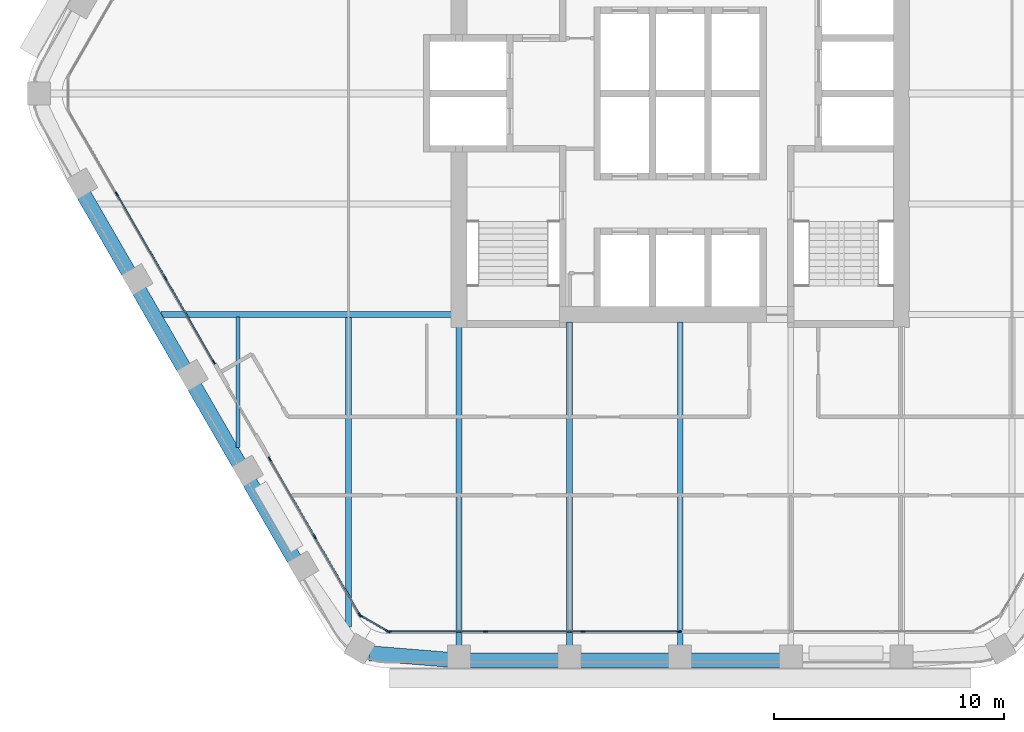
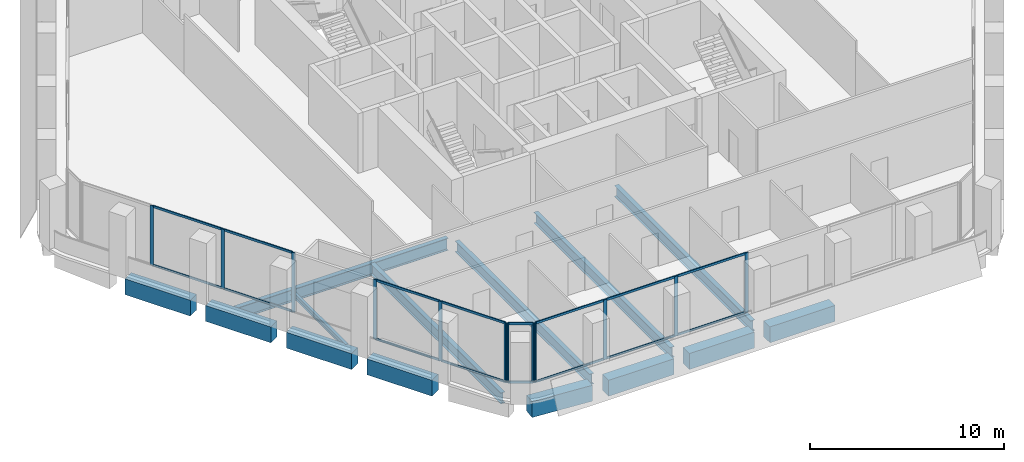
# One storey, part 2 of 15: 28 members, 14 beams, 4 elements without a shape of their own.
"""IFC4 building model written with IfcOpenShell, lengths in metres."""

from ifc_helpers import new_model, si_unit, direction, frame, origin, origin_2d, place, context, subcontext, project, spatial, rectangle, i_section, extrude, material, material_profile, profile_set, type_object, element, aggregate, save


model = new_model("IFC4")

# Units and contexts
model_context = context("Model", 3, precision=1e-05, world=origin(), true_north=direction((0.0, 1.0)))
body_context = subcontext(model_context, "Body", "Model", "MODEL_VIEW")
ifc_project = project(units=[si_unit("LENGTHUNIT", "METRE"), si_unit("AREAUNIT", "SQUARE_METRE"), si_unit("VOLUMEUNIT", "CUBIC_METRE"), si_unit("PLANEANGLEUNIT", "RADIAN"), si_unit("MASSUNIT", "GRAM", prefix="KILO")], contexts=[model_context])

# Site, building, storey
site_placement = place(None, origin())
site = spatial("IfcSite", under=ifc_project, at=site_placement, CompositionType="ELEMENT")
building_placement = place(site_placement, origin())
building = spatial("IfcBuilding", under=site, at=building_placement, Name="Kolab Exchange Tower", CompositionType="ELEMENT")
storey_placement = place(building_placement, frame((0.0, 0.0, 142.699951171875)))
storey = spatial("IfcBuildingStorey", under=building, at=storey_placement, Name="L28", CompositionType="ELEMENT", Elevation=142.699951171875)

# Beams
ifc_material_1 = material(Name="Steel S355", Category="steel")
ifc_material_profile_1 = material_profile(ifc_material_1, i_section(OverallWidth=0.1650390625, OverallDepth=0.31005859375, WebThickness=0.005859375, FlangeThickness=0.009765625, at=origin_2d()), Name="W310X39")
ifc_profile_set_1 = profile_set([ifc_material_profile_1], Name="Steel S355")
beam_type_1 = type_object("IfcBeamType", Name="FLOOR BEAM W310X39", PredefinedType="BEAM", material=ifc_profile_set_1)
beam_1_placement = place(storey_placement, frame((-19.199951171875, -15.36767578125, -0.304931640625), z_axis=(0.0, 1.0, 0.0), x_axis=(-1.0, 0.0, 0.0)))
element("IfcBeam", 1, at=beam_1_placement, inside=storey, type_object=beam_type_1, Name="beam/L28/fr/003", PredefinedType="BEAM", context=body_context, shape_type="SweptSolid", body=[
    extrude(i_section(OverallWidth=0.1650390625, OverallDepth=0.31005859375, WebThickness=0.005859375, FlangeThickness=0.009765625, at=origin_2d()), origin(), (0.0, 0.0, 1.0), 5.674072265625),
])
ifc_material_profile_2 = material_profile(ifc_material_1, i_section(OverallWidth=0.25390625, OverallDepth=0.68408203125, WebThickness=0.012451171875, FlangeThickness=0.018798828125, at=origin_2d()), Name="W690X140")
ifc_profile_set_2 = profile_set([ifc_material_profile_2], Name="Steel S355")
beam_type_2 = type_object("IfcBeamType", Name="FLOOR BEAM W690X140", PredefinedType="BEAM", material=ifc_profile_set_2)
beam_2_placement = place(storey_placement, frame((-14.39990234375, -23.15576171875, -0.491943359375), z_axis=(0.0, 1.0, 0.0), x_axis=(-1.0, 0.0, 0.0)))
element("IfcBeam", 2, at=beam_2_placement, inside=storey, type_object=beam_type_2, Name="beam/L28/fr/005", PredefinedType="BEAM", context=body_context, shape_type="SweptSolid", body=[
    extrude(i_section(OverallWidth=0.25390625, OverallDepth=0.68408203125, WebThickness=0.012451171875, FlangeThickness=0.018798828125, at=origin_2d()), origin(), (0.0, 0.0, 1.0), 13.462158203125),
])
beam_3_placement = place(storey_placement, frame((-9.60009765625, -23.9814453125, -0.491943359375), z_axis=(0.0, 1.0, 0.0), x_axis=(-1.0, 0.0, 0.0)))
element("IfcBeam", 3, at=beam_3_placement, inside=storey, type_object=beam_type_2, Name="beam/L28/fr/007", PredefinedType="BEAM", context=body_context, shape_type="SweptSolid", body=[
    extrude(i_section(OverallWidth=0.25390625, OverallDepth=0.68408203125, WebThickness=0.012451171875, FlangeThickness=0.018798828125, at=origin_2d()), origin(), (0.0, 0.0, 1.0), 13.871337890625),
])
for number, where, z_axis, x_axis, name in (
    (4, (-4.800048828125, -23.9814453125, -0.491943359375), (0.0, 1.0, 0.0), (-1.0, 0.0, 0.0), "beam/L28/fr/009"),
    (5, (0.0, -23.9814453125, -0.491943359375), (0.0, 1.0, 0.0), (-1.0, 0.0, 0.0), "beam/L28/fr/011"),
):
    element("IfcBeam", number, at=place(storey_placement, frame(where, z_axis=z_axis, x_axis=x_axis)), inside=storey, type_object=beam_type_2, Name=name, PredefinedType="BEAM", context=body_context, shape_type="SweptSolid", body=[
        extrude(i_section(OverallWidth=0.25390625, OverallDepth=0.68408203125, WebThickness=0.012451171875, FlangeThickness=0.018798828125, at=origin_2d()), origin(), (0.0, 0.0, 1.0), 14.071533203125),
    ])
ifc_material_profile_3 = material_profile(ifc_material_1, i_section(OverallWidth=0.26708984375, OverallDepth=0.761962890625, WebThickness=0.014404296875, FlangeThickness=0.021484375, at=origin_2d()), Name="W760X173")
ifc_profile_set_3 = profile_set([ifc_material_profile_3], Name="Steel S355")
beam_type_3 = type_object("IfcBeamType", Name="FLOOR GIRDER W760X173", PredefinedType="BEAM", material=ifc_profile_set_3)
beam_4_placement = place(storey_placement, frame((-22.546875, -9.60009765625, -0.531005859375), z_axis=(1.0, 0.0, 0.0), x_axis=(0.0, 1.0, 0.0)))
element("IfcBeam", 6, at=beam_4_placement, inside=storey, type_object=beam_type_3, Name="beam/L28/gd/000", PredefinedType="BEAM", context=body_context, shape_type="SweptSolid", body=[
    extrude(i_section(OverallWidth=0.26708984375, OverallDepth=0.761962890625, WebThickness=0.014404296875, FlangeThickness=0.021484375, at=origin_2d()), origin(), (0.0, 0.0, 1.0), 12.636962890625),
])
ifc_material_2 = material(Name="Concrete C60/75", Category="concrete")
ifc_material_profile_4 = material_profile(ifc_material_2, rectangle(XDim=0.64990234375, YDim=1.0, at=origin_2d()), Name="RC650X1000")
ifc_profile_set_4 = profile_set([ifc_material_profile_4], Name="Concrete C60/75")
beam_type_4 = type_object("IfcBeamType", Name="SPANDREL BEAM 650X1000 C60/75", PredefinedType="BEAM", material=ifc_profile_set_4)
for number, where, z_axis, x_axis, name in (
    (7, (4.340087890625, -24.616455078125, -0.64990234375), (-1.0, 0.0, 0.0), (0.0, -1.0, 0.0), "beam/L28/sp/F4-03"),
    (8, (-0.4599609375, -24.616455078125, -0.64990234375), (-1.0, 0.0, 0.0), (0.0, -1.0, 0.0), "beam/L28/sp/F4-04"),
):
    element("IfcBeam", number, at=place(storey_placement, frame(where, z_axis=z_axis, x_axis=x_axis)), inside=storey, type_object=beam_type_4, Name=name, PredefinedType="BEAM", context=body_context, shape_type="SweptSolid", body=[
        extrude(rectangle(XDim=0.64990234375, YDim=1.0, at=origin_2d()), origin(), (0.0, 0.0, 1.0), 3.880126953125),
    ])
beam_5_placement = place(storey_placement, frame((-5.260009765625, -24.616455078125, -0.64990234375), z_axis=(-1.0, 0.0, 0.0), x_axis=(0.0, -1.0, 0.0)))
element("IfcBeam", 9, at=beam_5_placement, inside=storey, type_object=beam_type_4, Name="beam/L28/sp/F4-05", PredefinedType="BEAM", context=body_context, shape_type="SweptSolid", body=[
    extrude(rectangle(XDim=0.64990234375, YDim=1.0, at=origin_2d()), origin(), (0.0, 0.0, 1.0), 3.8798828125),
])
beam_6_placement = place(storey_placement, frame((-10.06005859375, -24.5791015625, -0.64990234375), z_axis=(-0.996708497182, 0.081068931445, 0.0), x_axis=(-0.081068931445, -0.996708497182, 0.0)))
element("IfcBeam", 10, at=beam_6_placement, inside=storey, type_object=beam_type_4, Name="beam/L28/sp/F4-06", PredefinedType="BEAM", context=body_context, shape_type="SweptSolid", body=[
    extrude(rectangle(XDim=0.64990234375, YDim=1.0, at=origin_2d()), origin(), (0.0, 0.0, 1.0), 3.445068359375),
])
beam_7_placement = place(storey_placement, frame((-16.74853515625, -20.2236328125, -0.64990234375), z_axis=(-0.499996613652, 0.866027358884, 0.0), x_axis=(-0.866027358884, -0.499996613652, 0.0)))
element("IfcBeam", 11, at=beam_7_placement, inside=storey, type_object=beam_type_4, Name="beam/L28/sp/F5-02", PredefinedType="BEAM", context=body_context, shape_type="SweptSolid", body=[
    extrude(rectangle(XDim=0.64990234375, YDim=1.0, at=origin_2d()), origin(), (0.0, 0.0, 1.0), 3.8798828125),
])
beam_8_placement = place(storey_placement, frame((-19.1484375, -16.06689453125, -0.64990234375), z_axis=(-0.50001655835, 0.866015843605, 0.0), x_axis=(-0.866015843605, -0.50001655835, 0.0)))
element("IfcBeam", 12, at=beam_8_placement, inside=storey, type_object=beam_type_4, Name="beam/L28/sp/F5-03", PredefinedType="BEAM", context=body_context, shape_type="SweptSolid", body=[
    extrude(rectangle(XDim=0.64990234375, YDim=1.0, at=origin_2d()), origin(), (0.0, 0.0, 1.0), 3.880126953125),
])
for number, where, z_axis, x_axis, name in (
    (13, (-21.548583984375, -11.909912109375, -0.64990234375), (-0.499996613652, 0.866027358884, 0.0), (-0.866027358884, -0.499996613652, 0.0), "beam/L28/sp/F5-04"),
    (14, (-23.948486328125, -7.7529296875, -0.64990234375), (-0.499996613652, 0.866027358884, 0.0), (-0.866027358884, -0.499996613652, 0.0), "beam/L28/sp/F5-05"),
):
    element("IfcBeam", number, at=place(storey_placement, frame(where, z_axis=z_axis, x_axis=x_axis)), inside=storey, type_object=beam_type_4, Name=name, PredefinedType="BEAM", context=body_context, shape_type="SweptSolid", body=[
        extrude(rectangle(XDim=0.64990234375, YDim=1.0, at=origin_2d()), origin(), (0.0, 0.0, 1.0), 3.8798828125),
    ])

# Curtain wall, members
ifc_material_3 = material(Name="Aluminium EN AW-6063 T6", Category="aluminium")
curtain_wall_type = type_object("IfcCurtainWallType", Name="UNITISED UPPER MID ZONE CURTAIN WALL", PredefinedType="NOTDEFINED", material=ifc_material_3)
curtain_wall_1_placement = place(storey_placement, origin())
curtain_wall_1 = element("IfcCurtainWall", 15, at=curtain_wall_1_placement, inside=storey, type_object=curtain_wall_type, Name="cw/L28/F4-2", PredefinedType="NOTDEFINED")
ifc_material_profile_5 = material_profile(ifc_material_3, rectangle(XDim=0.06005859375, YDim=0.199951171875, at=origin_2d()), Name="RECT 60X200")
ifc_profile_set_5 = profile_set([ifc_material_profile_5], Name="Aluminium EN AW-6063 T6")
member_type_1 = type_object("IfcMemberType", Name="UNITISED UPPER MID ZONE MULLION 60 X 200", PredefinedType="MULLION", material=ifc_profile_set_5)
member_1_placement = place(storey_placement, frame((-0.030029296875, -23.361572265625, 0.0), z_axis=(0.0, 0.0, 1.0), x_axis=(0.0, -1.0, 0.0)))
member_1 = element("IfcMember", 16, at=member_1_placement, type_object=member_type_1, Name="CW3 mullion 1", PredefinedType="MULLION", context=body_context, shape_type="SweptSolid", body=[
    extrude(rectangle(XDim=0.06005859375, YDim=0.199951171875, at=origin_2d()), origin(), (0.0, 0.0, 1.0), 3.75),
])
member_2_placement = place(storey_placement, frame((-4.22265625, -23.361572265625, 0.0), z_axis=(0.0, 0.0, 1.0), x_axis=(0.0, -1.0, 0.0)))
member_2 = element("IfcMember", 17, at=member_2_placement, type_object=member_type_1, Name="CW3 mullion 2", PredefinedType="MULLION", context=body_context, shape_type="SweptSolid", body=[
    extrude(rectangle(XDim=0.06005859375, YDim=0.199951171875, at=origin_2d()), origin(), (0.0, 0.0, 1.0), 3.75),
])
member_3_placement = place(storey_placement, frame((-8.4453125, -23.361572265625, 0.0), z_axis=(0.0, 0.0, 1.0), x_axis=(0.0, -1.0, 0.0)))
member_3 = element("IfcMember", 18, at=member_3_placement, type_object=member_type_1, Name="CW3 mullion 3", PredefinedType="MULLION", context=body_context, shape_type="SweptSolid", body=[
    extrude(rectangle(XDim=0.06005859375, YDim=0.199951171875, at=origin_2d()), origin(), (0.0, 0.0, 1.0), 3.75),
])
member_4_placement = place(storey_placement, frame((-12.637939453125, -23.361572265625, 0.0), z_axis=(0.0, 0.0, 1.0), x_axis=(0.0, -1.0, 0.0)))
member_4 = element("IfcMember", 19, at=member_4_placement, type_object=member_type_1, Name="CW3 mullion 4", PredefinedType="MULLION", context=body_context, shape_type="SweptSolid", body=[
    extrude(rectangle(XDim=0.06005859375, YDim=0.199951171875, at=origin_2d()), origin(), (0.0, 0.0, 1.0), 3.75),
])

curtain_wall_2_placement = place(storey_placement, origin())
curtain_wall_2 = element("IfcCurtainWall", 20, at=curtain_wall_2_placement, inside=storey, type_object=curtain_wall_type, Name="cw/L28/F5-1", PredefinedType="NOTDEFINED")
member_5_placement = place(storey_placement, frame((-13.91259765625, -22.62548828125, 0.0), z_axis=(0.0, 0.0, 1.0), x_axis=(-0.866025385493, -0.500000031681, 0.0)))
member_5 = element("IfcMember", 21, at=member_5_placement, type_object=member_type_1, Name="CW3 mullion 1", PredefinedType="MULLION", context=body_context, shape_type="SweptSolid", body=[
    extrude(rectangle(XDim=0.06005859375, YDim=0.199951171875, at=origin_2d()), origin(), (0.0, 0.0, 1.0), 3.75),
])
member_6_placement = place(storey_placement, frame((-15.86474609375, -19.24462890625, 0.0), z_axis=(0.0, 0.0, 1.0), x_axis=(-0.866025385493, -0.500000031681, 0.0)))
member_6 = element("IfcMember", 22, at=member_6_placement, type_object=member_type_1, Name="CW3 mullion 2", PredefinedType="MULLION", context=body_context, shape_type="SweptSolid", body=[
    extrude(rectangle(XDim=0.06005859375, YDim=0.199951171875, at=origin_2d()), origin(), (0.0, 0.0, 1.0), 3.75),
])
member_7_placement = place(storey_placement, frame((-17.816650390625, -15.86376953125, 0.0), z_axis=(0.0, 0.0, 1.0), x_axis=(-0.866025385493, -0.500000031681, 0.0)))
member_7 = element("IfcMember", 23, at=member_7_placement, type_object=member_type_1, Name="CW3 mullion 3", PredefinedType="MULLION", context=body_context, shape_type="SweptSolid", body=[
    extrude(rectangle(XDim=0.06005859375, YDim=0.199951171875, at=origin_2d()), origin(), (0.0, 0.0, 1.0), 3.75),
])

curtain_wall_3_placement = place(storey_placement, origin())
curtain_wall_3 = element("IfcCurtainWall", 24, at=curtain_wall_3_placement, inside=storey, type_object=curtain_wall_type, Name="cw/L28/F5-2", PredefinedType="NOTDEFINED")
member_8_placement = place(storey_placement, frame((-20.24658203125, -11.65478515625, 0.0), z_axis=(0.0, 0.0, 1.0), x_axis=(-0.866025427826, -0.499999958358, 0.0)))
member_8 = element("IfcMember", 25, at=member_8_placement, type_object=member_type_1, Name="CW3 mullion 1", PredefinedType="MULLION", context=body_context, shape_type="SweptSolid", body=[
    extrude(rectangle(XDim=0.06005859375, YDim=0.199951171875, at=origin_2d()), origin(), (0.0, 0.0, 1.0), 3.75),
])
member_9_placement = place(storey_placement, frame((-22.343017578125, -8.02392578125, 0.0), z_axis=(0.0, 0.0, 1.0), x_axis=(-0.866025427826, -0.499999958358, 0.0)))
member_9 = element("IfcMember", 26, at=member_9_placement, type_object=member_type_1, Name="CW3 mullion 2", PredefinedType="MULLION", context=body_context, shape_type="SweptSolid", body=[
    extrude(rectangle(XDim=0.06005859375, YDim=0.199951171875, at=origin_2d()), origin(), (0.0, 0.0, 1.0), 3.75),
])
member_10_placement = place(storey_placement, frame((-24.454345703125, -4.366943359375, 0.0), z_axis=(0.0, 0.0, 1.0), x_axis=(-0.866025427826, -0.499999958358, 0.0)))
member_10 = element("IfcMember", 27, at=member_10_placement, type_object=member_type_1, Name="CW3 mullion 3", PredefinedType="MULLION", context=body_context, shape_type="SweptSolid", body=[
    extrude(rectangle(XDim=0.06005859375, YDim=0.199951171875, at=origin_2d()), origin(), (0.0, 0.0, 1.0), 3.75),
])

curtain_wall_4_placement = place(storey_placement, origin())
curtain_wall_4 = element("IfcCurtainWall", 28, at=curtain_wall_4_placement, inside=storey, type_object=curtain_wall_type, Name="cw/L28/F4F5-corner", PredefinedType="NOTDEFINED")
member_11_placement = place(storey_placement, frame((-12.69384765625, -23.346435546875, 0.0), z_axis=(0.0, 0.0, 1.0), x_axis=(-0.50000002237, -0.866025390869, 0.0)))
member_11 = element("IfcMember", 29, at=member_11_placement, type_object=member_type_1, Name="CW3 mullion 1", PredefinedType="MULLION", context=body_context, shape_type="SweptSolid", body=[
    extrude(rectangle(XDim=0.06005859375, YDim=0.199951171875, at=origin_2d()), origin(), (0.0, 0.0, 1.0), 3.75),
])
member_12_placement = place(storey_placement, frame((-13.871826171875, -22.66650390625, 0.0), z_axis=(0.0, 0.0, 1.0), x_axis=(-0.50000002237, -0.866025390869, 0.0)))
member_12 = element("IfcMember", 30, at=member_12_placement, type_object=member_type_1, Name="CW3 mullion 2", PredefinedType="MULLION", context=body_context, shape_type="SweptSolid", body=[
    extrude(rectangle(XDim=0.06005859375, YDim=0.199951171875, at=origin_2d()), origin(), (0.0, 0.0, 1.0), 3.75),
])

# Member
ifc_material_profile_6 = material_profile(ifc_material_3, rectangle(XDim=0.06005859375, YDim=0.139892578125, at=origin_2d()), Name="RECT 60X140")
ifc_profile_set_6 = profile_set([ifc_material_profile_6], Name="Aluminium EN AW-6063 T6")
member_type_2 = type_object("IfcMemberType", Name="UNITISED UPPER MID ZONE TRANSOM 60 X 140", PredefinedType="USERDEFINED", material=ifc_profile_set_6)
member_13_placement = place(storey_placement, frame((-0.06005859375, -23.361572265625, 0.030029296875), z_axis=(-1.0, 0.0, 0.0), x_axis=(0.0, -1.0, 0.0)))
member_13 = element("IfcMember", 31, at=member_13_placement, type_object=member_type_2, Name="CW3 transom 1.1", ObjectType="TRANSOM", PredefinedType="USERDEFINED", context=body_context, shape_type="SweptSolid", body=[
    extrude(rectangle(XDim=0.06005859375, YDim=0.139892578125, at=origin_2d()), origin(), (0.0, 0.0, 1.0), 4.132568359375),
])

member_14_placement = place(storey_placement, frame((-0.06005859375, -23.361572265625, 3.719970703125), z_axis=(-1.0, 0.0, 0.0), x_axis=(0.0, -1.0, 0.0)))
member_14 = element("IfcMember", 32, at=member_14_placement, type_object=member_type_2, Name="CW3 transom 1.2", ObjectType="TRANSOM", PredefinedType="USERDEFINED", context=body_context, shape_type="SweptSolid", body=[
    extrude(rectangle(XDim=0.06005859375, YDim=0.139892578125, at=origin_2d()), origin(), (0.0, 0.0, 1.0), 4.132568359375),
])

member_15_placement = place(storey_placement, frame((-4.252685546875, -23.361572265625, 0.030029296875), z_axis=(-1.0, 0.0, 0.0), x_axis=(0.0, -1.0, 0.0)))
member_15 = element("IfcMember", 33, at=member_15_placement, type_object=member_type_2, Name="CW3 transom 2.1", ObjectType="TRANSOM", PredefinedType="USERDEFINED", context=body_context, shape_type="SweptSolid", body=[
    extrude(rectangle(XDim=0.06005859375, YDim=0.139892578125, at=origin_2d()), origin(), (0.0, 0.0, 1.0), 4.16259765625),
])

member_16_placement = place(storey_placement, frame((-4.252685546875, -23.361572265625, 3.719970703125), z_axis=(-1.0, 0.0, 0.0), x_axis=(0.0, -1.0, 0.0)))
member_16 = element("IfcMember", 34, at=member_16_placement, type_object=member_type_2, Name="CW3 transom 2.2", ObjectType="TRANSOM", PredefinedType="USERDEFINED", context=body_context, shape_type="SweptSolid", body=[
    extrude(rectangle(XDim=0.06005859375, YDim=0.139892578125, at=origin_2d()), origin(), (0.0, 0.0, 1.0), 4.16259765625),
])

member_17_placement = place(storey_placement, frame((-8.475341796875, -23.361572265625, 0.030029296875), z_axis=(-1.0, 0.0, 0.0), x_axis=(0.0, -1.0, 0.0)))
member_17 = element("IfcMember", 35, at=member_17_placement, type_object=member_type_2, Name="CW3 transom 3.1", ObjectType="TRANSOM", PredefinedType="USERDEFINED", context=body_context, shape_type="SweptSolid", body=[
    extrude(rectangle(XDim=0.06005859375, YDim=0.139892578125, at=origin_2d()), origin(), (0.0, 0.0, 1.0), 4.132568359375),
])

member_18_placement = place(storey_placement, frame((-8.475341796875, -23.361572265625, 3.719970703125), z_axis=(-1.0, 0.0, 0.0), x_axis=(0.0, -1.0, 0.0)))
member_18 = element("IfcMember", 36, at=member_18_placement, type_object=member_type_2, Name="CW3 transom 3.2", ObjectType="TRANSOM", PredefinedType="USERDEFINED", context=body_context, shape_type="SweptSolid", body=[
    extrude(rectangle(XDim=0.06005859375, YDim=0.139892578125, at=origin_2d()), origin(), (0.0, 0.0, 1.0), 4.132568359375),
])

aggregate(curtain_wall_1, [member_1, member_2, member_3, member_4, member_13, member_14, member_15, member_16, member_17, member_18])

member_19_placement = place(storey_placement, frame((-13.927734375, -22.599609375, 0.030029296875), z_axis=(-0.499964356602, 0.866045981532, 0.0), x_axis=(-0.866045981532, -0.499964356602, 0.0)))
member_19 = element("IfcMember", 37, at=member_19_placement, type_object=member_type_2, Name="CW3 transom 1.1", ObjectType="TRANSOM", PredefinedType="USERDEFINED", context=body_context, shape_type="SweptSolid", body=[
    extrude(rectangle(XDim=0.06005859375, YDim=0.139892578125, at=origin_2d()), origin(), (0.0, 0.0, 1.0), 3.843994140625),
])

member_20_placement = place(storey_placement, frame((-13.927734375, -22.599609375, 3.719970703125), z_axis=(-0.499964356602, 0.866045981532, 0.0), x_axis=(-0.866045981532, -0.499964356602, 0.0)))
member_20 = element("IfcMember", 38, at=member_20_placement, type_object=member_type_2, Name="CW3 transom 1.2", ObjectType="TRANSOM", PredefinedType="USERDEFINED", context=body_context, shape_type="SweptSolid", body=[
    extrude(rectangle(XDim=0.06005859375, YDim=0.139892578125, at=origin_2d()), origin(), (0.0, 0.0, 1.0), 3.843994140625),
])

member_21_placement = place(storey_placement, frame((-15.879638671875, -19.21875, 0.030029296875), z_axis=(-0.500011990396, 0.866018481016, 0.0), x_axis=(-0.866018481016, -0.500011990396, 0.0)))
member_21 = element("IfcMember", 39, at=member_21_placement, type_object=member_type_2, Name="CW3 transom 2.1", ObjectType="TRANSOM", PredefinedType="USERDEFINED", context=body_context, shape_type="SweptSolid", body=[
    extrude(rectangle(XDim=0.06005859375, YDim=0.139892578125, at=origin_2d()), origin(), (0.0, 0.0, 1.0), 3.84423828125),
])

member_22_placement = place(storey_placement, frame((-15.879638671875, -19.21875, 3.719970703125), z_axis=(-0.500011990396, 0.866018481016, 0.0), x_axis=(-0.866018481016, -0.500011990396, 0.0)))
member_22 = element("IfcMember", 40, at=member_22_placement, type_object=member_type_2, Name="CW3 transom 2.2", ObjectType="TRANSOM", PredefinedType="USERDEFINED", context=body_context, shape_type="SweptSolid", body=[
    extrude(rectangle(XDim=0.06005859375, YDim=0.139892578125, at=origin_2d()), origin(), (0.0, 0.0, 1.0), 3.84423828125),
])

aggregate(curtain_wall_2, [member_5, member_6, member_7, member_19, member_20, member_21, member_22])

member_23_placement = place(storey_placement, frame((-20.26171875, -11.62890625, 0.030029296875), z_axis=(-0.500001996123, 0.866024251319, 0.0), x_axis=(-0.866024251319, -0.500001996123, 0.0)))
member_23 = element("IfcMember", 41, at=member_23_placement, type_object=member_type_2, Name="CW3 transom 1.1", ObjectType="TRANSOM", PredefinedType="USERDEFINED", context=body_context, shape_type="SweptSolid", body=[
    extrude(rectangle(XDim=0.06005859375, YDim=0.139892578125, at=origin_2d()), origin(), (0.0, 0.0, 1.0), 4.1328125),
])

member_24_placement = place(storey_placement, frame((-20.26171875, -11.62890625, 3.719970703125), z_axis=(-0.500001996123, 0.866024251319, 0.0), x_axis=(-0.866024251319, -0.500001996123, 0.0)))
member_24 = element("IfcMember", 42, at=member_24_placement, type_object=member_type_2, Name="CW3 transom 1.2", ObjectType="TRANSOM", PredefinedType="USERDEFINED", context=body_context, shape_type="SweptSolid", body=[
    extrude(rectangle(XDim=0.06005859375, YDim=0.139892578125, at=origin_2d()), origin(), (0.0, 0.0, 1.0), 4.1328125),
])

member_25_placement = place(storey_placement, frame((-22.35791015625, -7.997802734375, 0.030029296875), z_axis=(-0.49999322259, 0.866029316688, 0.0), x_axis=(-0.866029316688, -0.49999322259, 0.0)))
member_25 = element("IfcMember", 43, at=member_25_placement, type_object=member_type_2, Name="CW3 transom 2.1", ObjectType="TRANSOM", PredefinedType="USERDEFINED", context=body_context, shape_type="SweptSolid", body=[
    extrude(rectangle(XDim=0.06005859375, YDim=0.139892578125, at=origin_2d()), origin(), (0.0, 0.0, 1.0), 4.16259765625),
])

member_26_placement = place(storey_placement, frame((-22.35791015625, -7.997802734375, 3.719970703125), z_axis=(-0.49999322259, 0.866029316688, 0.0), x_axis=(-0.866029316688, -0.49999322259, 0.0)))
member_26 = element("IfcMember", 44, at=member_26_placement, type_object=member_type_2, Name="CW3 transom 2.2", ObjectType="TRANSOM", PredefinedType="USERDEFINED", context=body_context, shape_type="SweptSolid", body=[
    extrude(rectangle(XDim=0.06005859375, YDim=0.139892578125, at=origin_2d()), origin(), (0.0, 0.0, 1.0), 4.16259765625),
])

aggregate(curtain_wall_3, [member_8, member_9, member_10, member_23, member_24, member_25, member_26])

member_27_placement = place(storey_placement, frame((-12.719970703125, -23.33154296875, 0.030029296875), z_axis=(-0.86603858612, 0.49997716683, 0.0), x_axis=(-0.49997716683, -0.86603858612, 0.0)))
member_27 = element("IfcMember", 45, at=member_27_placement, type_object=member_type_2, Name="CW3 transom 1.1", ObjectType="TRANSOM", PredefinedType="USERDEFINED", context=body_context, shape_type="SweptSolid", body=[
    extrude(rectangle(XDim=0.06005859375, YDim=0.139892578125, at=origin_2d()), origin(), (0.0, 0.0, 1.0), 1.2998046875),
])

member_28_placement = place(storey_placement, frame((-12.719970703125, -23.33154296875, 3.719970703125), z_axis=(-0.86603858612, 0.49997716683, 0.0), x_axis=(-0.49997716683, -0.86603858612, 0.0)))
member_28 = element("IfcMember", 46, at=member_28_placement, type_object=member_type_2, Name="CW3 transom 1.2", ObjectType="TRANSOM", PredefinedType="USERDEFINED", context=body_context, shape_type="SweptSolid", body=[
    extrude(rectangle(XDim=0.06005859375, YDim=0.139892578125, at=origin_2d()), origin(), (0.0, 0.0, 1.0), 1.2998046875),
])

aggregate(curtain_wall_4, [member_11, member_12, member_27, member_28])

save(model, "model.ifc")
